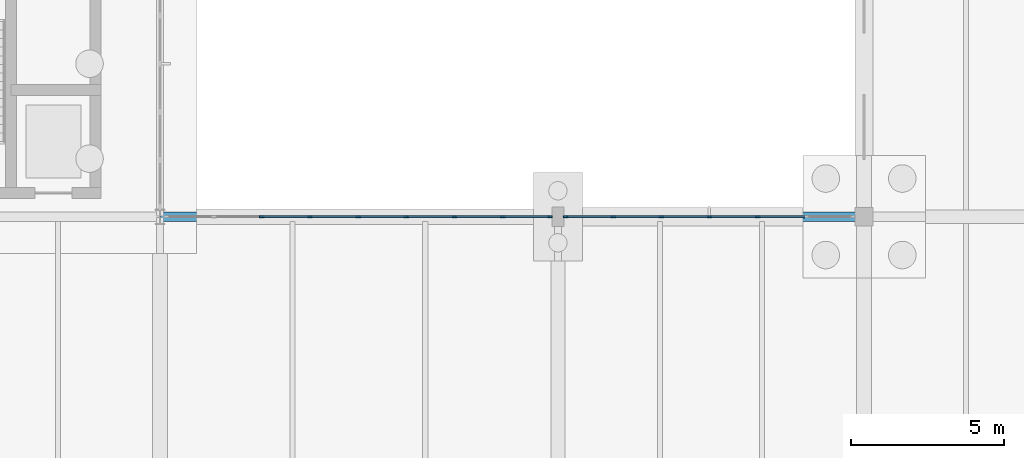
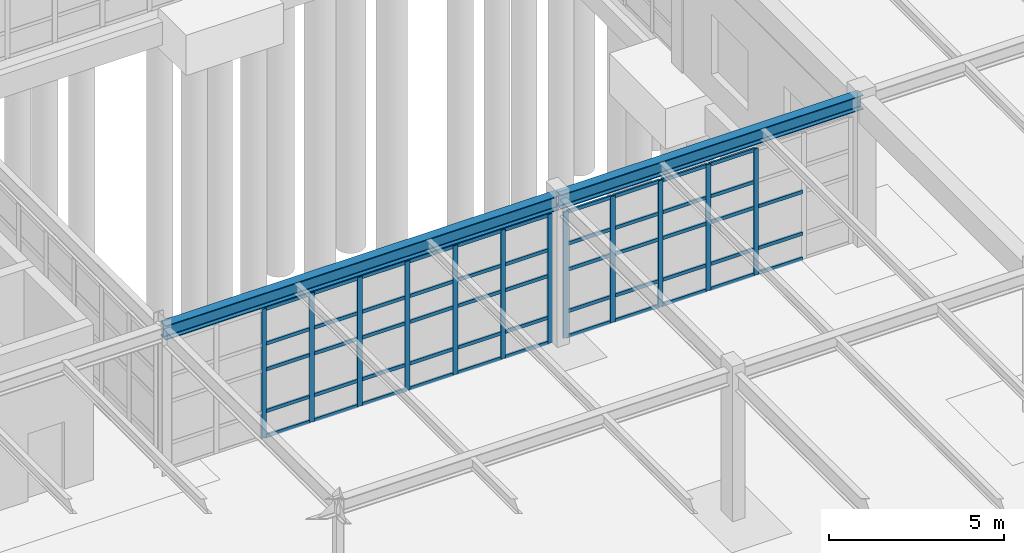
# One storey, part 68 of 145: 65 members, 2 beams, 2 elements without a shape of their own.
"""IFC4 building model written with IfcOpenShell, lengths in metres."""

import ifcopenshell
import ifcopenshell.guid

model = None  # the IFC model being written
_history = None  # IfcOwnerHistory: only IFC2X3 demands one
_inside = {}  # id of a spatial element -> (the spatial element, [elements in it])
_under = {}  # id of a project, library or spatial element -> (it, [spatial elements below it])
_declared = {}  # id of a project -> (the project, [libraries it declares])
_typed = {}  # id of a type object -> (the type object, [elements of that type])
_made_of = {}  # id of a material, layer set ... -> (it, [elements and type objects made of it])


def new_model(schema):
    """Start an empty IFC model of exactly this schema.

    Asked for "IFC4X3", IfcOpenShell would pick the latest addendum, in which some entities
    have other attributes; the version numbers below select the first issue.
    IFC2X3 requires an IfcOwnerHistory on every rooted entity: one is made here for all.
    """
    global model, _history
    if schema == "IFC4X3":
        model = ifcopenshell.file(schema_version=(4, 3, 0, 0))
    else:
        model = ifcopenshell.file(schema=schema)
    _inside.clear()
    _under.clear()
    _declared.clear()
    _typed.clear()
    _made_of.clear()
    _history = None
    if model.schema == "IFC2X3":
        org = make("IfcOrganization", Name="unknown")
        user = make(
            "IfcPersonAndOrganization",
            ThePerson=make("IfcPerson", FamilyName="unknown"),
            TheOrganization=org,
        )
        app = make(
            "IfcApplication",
            ApplicationDeveloper=org,
            Version="unknown",
            ApplicationFullName="unknown",
            ApplicationIdentifier="unknown",
        )
        _history = make(
            "IfcOwnerHistory",
            OwningUser=user,
            OwningApplication=app,
            ChangeAction="ADDED",
            CreationDate=0,
        )
    return model


def make(cls, **values):
    """One entity of the class cls with the attributes given. An attribute that is None is left unset."""
    return model.create_entity(
        cls, **{name: value for name, value in values.items() if value is not None}
    )


def rooted(cls, **values):
    """An entity with a GlobalId (a new one), such as an element, a storey or a relation."""
    return make(cls, GlobalId=ifcopenshell.guid.new(), OwnerHistory=_history, **values)


def si_unit(unit_type, name, prefix=None):
    """IfcSIUnit, for example si_unit("LENGTHUNIT", "METRE", prefix="MILLI")."""
    return make("IfcSIUnit", UnitType=unit_type, Prefix=prefix, Name=name)


def assignment(units):
    """IfcUnitAssignment: the units of a project."""
    return None if units is None else make("IfcUnitAssignment", Units=units)


def point(xyz):
    """IfcCartesianPoint."""
    return None if xyz is None else make("IfcCartesianPoint", Coordinates=xyz)


def direction(xyz):
    """IfcDirection."""
    return None if xyz is None else make("IfcDirection", DirectionRatios=xyz)


def frame(location, z_axis=None, x_axis=None):
    """IfcAxis2Placement3D, a coordinate frame: its origin and axes. An axis left out is left unset."""
    return make(
        "IfcAxis2Placement3D",
        Location=point(location),
        Axis=direction(z_axis),
        RefDirection=direction(x_axis),
    )


def frame_2d(location, x_axis=None):
    """IfcAxis2Placement2D, a coordinate frame in the plane: its origin and x axis."""
    return make(
        "IfcAxis2Placement2D", Location=point(location), RefDirection=direction(x_axis)
    )


def origin():
    """The frame at (0, 0, 0) with its axes left unset."""
    return frame((0.0, 0.0, 0.0))


def origin_2d():
    """The frame at (0, 0) in the plane with its x axis left unset."""
    return frame_2d((0.0, 0.0))


def place(relative_to, where):
    """IfcLocalPlacement: puts the frame where relative to a parent placement (None: the world)."""
    return make(
        "IfcLocalPlacement", PlacementRelTo=relative_to, RelativePlacement=where
    )


def context(
    kind, dimensions, precision=None, world=None, true_north=None, identifier=None
):
    """IfcGeometricRepresentationContext, for example the 3D "Model" context."""
    return make(
        "IfcGeometricRepresentationContext",
        ContextIdentifier=identifier,
        ContextType=kind,
        CoordinateSpaceDimension=dimensions,
        Precision=precision,
        WorldCoordinateSystem=world,
        TrueNorth=true_north,
    )


def subcontext(parent, identifier, kind, view, scale=None):
    """IfcGeometricRepresentationSubContext, for example "Body" below "Model"."""
    return make(
        "IfcGeometricRepresentationSubContext",
        ContextIdentifier=identifier,
        ContextType=kind,
        ParentContext=parent,
        TargetScale=scale,
        TargetView=view,
    )


def project(units=None, contexts=None):
    """IfcProject with its units and contexts."""
    return rooted(
        "IfcProject",
        Name="project",
        RepresentationContexts=contexts,
        UnitsInContext=assignment(units),
    )


def spatial(cls, under=None, at=None, **own):
    """A site, building, storey or space (cls), placed at a placement, below another one or the project."""
    s = rooted(cls, ObjectPlacement=at, **own)
    if under is not None:
        _under.setdefault(under.id(), (under, []))[1].append(s)
    return s


def profile(cls, at=None, kind="AREA", **sizes):
    """A parametric profile (cls). Its sizes go by their IFC names, for example OverallWidth=200.0."""
    return make(cls, ProfileType=kind, Position=at, **sizes)


def rectangle(**sizes):
    """IfcRectangleProfileDef."""
    return profile("IfcRectangleProfileDef", **sizes)


def i_section(**sizes):
    """IfcIShapeProfileDef."""
    return profile("IfcIShapeProfileDef", **sizes)


def extrude(swept, where, along, depth):
    """IfcExtrudedAreaSolid: the profile swept, set in the frame where, extruded along a direction by depth."""
    return make(
        "IfcExtrudedAreaSolid",
        SweptArea=swept,
        Position=where,
        ExtrudedDirection=direction(along),
        Depth=depth,
    )


def shape(context_of_items, identifier, shape_type, items):
    """IfcShapeRepresentation: the items that make up one representation, for example the "Body"."""
    return make(
        "IfcShapeRepresentation",
        ContextOfItems=context_of_items,
        RepresentationIdentifier=identifier,
        RepresentationType=shape_type,
        Items=items,
    )


def material(Name=None, Category=None):
    """IfcMaterial."""
    return make("IfcMaterial", Name=Name, Category=Category)


def layer(
    of_material, thickness, ventilated=None, Name=None, Category=None, Priority=None
):
    """IfcMaterialLayer: one layer of a wall or slab, of a material (None: an air gap)."""
    return make(
        "IfcMaterialLayer",
        Material=of_material,
        LayerThickness=thickness,
        IsVentilated=ventilated,
        Name=Name,
        Category=Category,
        Priority=Priority,
    )


def layer_set(layers, Name=None):
    """IfcMaterialLayerSet."""
    return make("IfcMaterialLayerSet", MaterialLayers=layers, LayerSetName=Name)


def material_profile(
    of_material, cross_section, Name=None, Category=None, Priority=None
):
    """IfcMaterialProfile: a cross section and its material."""
    return make(
        "IfcMaterialProfile",
        Name=Name,
        Material=of_material,
        Profile=cross_section,
        Priority=Priority,
        Category=Category,
    )


def profile_set(profiles, Name=None, composite=None):
    """IfcMaterialProfileSet."""
    return make(
        "IfcMaterialProfileSet",
        Name=Name,
        MaterialProfiles=profiles,
        CompositeProfile=composite,
    )


def made_of(thing, what):
    """Note that an element or type object is made of a material, layer set ...; save() writes the relation."""
    if what is not None:
        _made_of.setdefault(what.id(), (what, []))[1].append(thing)
    return thing


def type_object(cls, material=None, **own):
    """A type object (cls), such as IfcWallType, which elements share."""
    return made_of(rooted(cls, **own), material)


def element(
    cls,
    number,
    at=None,
    inside=None,
    cuts=None,
    type_object=None,
    material=None,
    context=None,
    identifier="Body",
    shape_type=None,
    held_by="IfcProductDefinitionShape",
    body=None,
    shapes=None,
    **own,
):
    """One element of the class cls, such as IfcWall. Its Tag is "e" and its number.

    at: its placement. inside: the storey or other place that contains it. cuts: it is an
    opening in that element (IfcRelVoidsElement). A single representation is given by context,
    identifier, shape_type and body (its items); several are given by shapes. held_by: the class
    of the entity that holds the representations. save() writes the other relations.
    """
    e = rooted(cls, Tag="e%d" % number, ObjectPlacement=at, **own)
    if body is not None:
        shapes = [shape(context, identifier, shape_type, body)]
    if shapes is not None:
        e.Representation = make(held_by, Representations=shapes)
    if inside is not None:
        _inside.setdefault(inside.id(), (inside, []))[1].append(e)
    if cuts is not None:
        rooted(
            "IfcRelVoidsElement", RelatingBuildingElement=cuts, RelatedOpeningElement=e
        )
    if type_object is not None:
        _typed.setdefault(type_object.id(), (type_object, []))[1].append(e)
    return made_of(e, material)


def aggregate(whole, parts):
    """IfcRelAggregates: a whole, such as a stair, and the parts it consists of."""
    return rooted("IfcRelAggregates", RelatingObject=whole, RelatedObjects=parts)


def save(model, path):
    """Write the relations noted so far, then the file.

    IfcRelAggregates (storeys below a building ...), IfcRelContainedInSpatialStructure (elements
    in a storey), IfcRelDefinesByType, IfcRelAssociatesMaterial and IfcRelDeclares: one each for
    every whole, place, type object, material and project.
    """
    for whole, parts in _under.values():
        aggregate(whole, parts)
    for where, things in _inside.values():
        rooted(
            "IfcRelContainedInSpatialStructure",
            RelatedElements=things,
            RelatingStructure=where,
        )
    for kind, things in _typed.values():
        rooted("IfcRelDefinesByType", RelatedObjects=things, RelatingType=kind)
    for what, things in _made_of.values():
        rooted("IfcRelAssociatesMaterial", RelatedObjects=things, RelatingMaterial=what)
    for by, libraries in _declared.values():
        rooted("IfcRelDeclares", RelatingContext=by, RelatedDefinitions=libraries)
    model.write(path)


model = new_model("IFC4")

# Units and contexts
model_context = context("Model", 3, precision=1e-05, world=origin(), true_north=direction((0.0, 1.0)))
body_context = subcontext(model_context, "Body", "Model", "MODEL_VIEW")
ifc_project = project(units=[si_unit("LENGTHUNIT", "METRE"), si_unit("AREAUNIT", "SQUARE_METRE"), si_unit("VOLUMEUNIT", "CUBIC_METRE"), si_unit("PLANEANGLEUNIT", "RADIAN"), si_unit("MASSUNIT", "GRAM", prefix="KILO"), si_unit("THERMODYNAMICTEMPERATUREUNIT", "KELVIN"), si_unit("POWERUNIT", "WATT")], contexts=[model_context])

# Site, building, storey
site_placement = place(None, origin())
site = spatial("IfcSite", under=ifc_project, at=site_placement, CompositionType="ELEMENT")
building_placement = place(site_placement, origin())
building = spatial("IfcBuilding", under=site, at=building_placement, Name="Korenveer Ferry Terminal", CompositionType="ELEMENT")
storey_placement = place(building_placement, origin())
storey = spatial("IfcBuildingStorey", under=building, at=storey_placement, Name="L00", CompositionType="ELEMENT", Elevation=0.0)

# Curtain wall, members
ifc_material_1 = material(Name="Unitised bronze-and-glass curtain wall", Category="glass")
ifc_layer_1 = layer(ifc_material_1, 0.159912109375)
ifc_layer_set_1 = layer_set([ifc_layer_1], Name="Unitised bronze-and-glass curtain wall")
curtain_wall_type_1 = type_object("IfcCurtainWallType", Name="ENV-CW-04", PredefinedType="USERDEFINED", material=ifc_layer_set_1)
curtain_wall_1_placement = place(storey_placement, frame((123.179931640625, 50.0, 0.0)))
curtain_wall_1 = element("IfcCurtainWall", 1, at=curtain_wall_1_placement, inside=storey, type_object=curtain_wall_type_1, Name="Lancet curtain wall CWX-L00-X123-136-Y50-50", ObjectType="UNITISED CURTAIN WALL", PredefinedType="USERDEFINED")
ifc_material_2 = material(Name="Anodised bronze aluminium", Category="aluminium")
ifc_material_profile_1 = material_profile(ifc_material_2, rectangle(XDim=0.06005859375, YDim=0.159912109375, at=origin_2d()), Name="ALU 60x160")
ifc_profile_set_1 = profile_set([ifc_material_profile_1], Name="Anodised bronze aluminium")
member_type_1 = type_object("IfcMemberType", Name="ENV-CWM-60X160", PredefinedType="MULLION", material=ifc_profile_set_1)
member_1_placement = place(storey_placement, frame((126.327392578125, 50.0, 0.0), z_axis=(0.0, 0.0, 1.0), x_axis=(0.0, 1.0, 0.0)))
member_1 = element("IfcMember", 2, at=member_1_placement, type_object=member_type_1, Name="CW-04 mullion 3", PredefinedType="MULLION", context=body_context, shape_type="SweptSolid", body=[
    extrude(rectangle(XDim=0.06005859375, YDim=0.159912109375, at=origin_2d()), origin(), (0.0, 0.0, 1.0), 4.489990234375),
])
member_2_placement = place(storey_placement, frame((127.9013671875, 50.0, 0.0), z_axis=(0.0, 0.0, 1.0), x_axis=(0.0, 1.0, 0.0)))
member_2 = element("IfcMember", 3, at=member_2_placement, type_object=member_type_1, Name="CW-04 mullion 4", PredefinedType="MULLION", context=body_context, shape_type="SweptSolid", body=[
    extrude(rectangle(XDim=0.06005859375, YDim=0.159912109375, at=origin_2d()), origin(), (0.0, 0.0, 1.0), 4.489990234375),
])
member_3_placement = place(storey_placement, frame((129.47509765625, 50.0, 0.0), z_axis=(0.0, 0.0, 1.0), x_axis=(0.0, 1.0, 0.0)))
member_3 = element("IfcMember", 4, at=member_3_placement, type_object=member_type_1, Name="CW-04 mullion 5", PredefinedType="MULLION", context=body_context, shape_type="SweptSolid", body=[
    extrude(rectangle(XDim=0.06005859375, YDim=0.159912109375, at=origin_2d()), origin(), (0.0, 0.0, 1.0), 4.489990234375),
])
member_4_placement = place(storey_placement, frame((131.048828125, 50.0, 0.0), z_axis=(0.0, 0.0, 1.0), x_axis=(0.0, 1.0, 0.0)))
member_4 = element("IfcMember", 5, at=member_4_placement, type_object=member_type_1, Name="CW-04 mullion 6", PredefinedType="MULLION", context=body_context, shape_type="SweptSolid", body=[
    extrude(rectangle(XDim=0.06005859375, YDim=0.159912109375, at=origin_2d()), origin(), (0.0, 0.0, 1.0), 4.489990234375),
])
member_5_placement = place(storey_placement, frame((132.62255859375, 50.0, 0.0), z_axis=(0.0, 0.0, 1.0), x_axis=(0.0, 1.0, 0.0)))
member_5 = element("IfcMember", 6, at=member_5_placement, type_object=member_type_1, Name="CW-04 mullion 7", PredefinedType="MULLION", context=body_context, shape_type="SweptSolid", body=[
    extrude(rectangle(XDim=0.06005859375, YDim=0.159912109375, at=origin_2d()), origin(), (0.0, 0.0, 1.0), 4.489990234375),
])
member_6_placement = place(storey_placement, frame((134.1962890625, 50.0, 0.0), z_axis=(0.0, 0.0, 1.0), x_axis=(0.0, 1.0, 0.0)))
member_6 = element("IfcMember", 7, at=member_6_placement, type_object=member_type_1, Name="CW-04 mullion 8", PredefinedType="MULLION", context=body_context, shape_type="SweptSolid", body=[
    extrude(rectangle(XDim=0.06005859375, YDim=0.159912109375, at=origin_2d()), origin(), (0.0, 0.0, 1.0), 4.489990234375),
])
member_7_placement = place(storey_placement, frame((135.739990234375, 50.0, 0.0), z_axis=(0.0, 0.0, 1.0), x_axis=(0.0, 1.0, 0.0)))
member_7 = element("IfcMember", 8, at=member_7_placement, type_object=member_type_1, Name="CW-04 mullion 9", PredefinedType="MULLION", context=body_context, shape_type="SweptSolid", body=[
    extrude(rectangle(XDim=0.06005859375, YDim=0.159912109375, at=origin_2d()), origin(), (0.0, 0.0, 1.0), 4.489990234375),
])

ifc_layer_2 = layer(ifc_material_1, 0.159912109375)
ifc_layer_set_2 = layer_set([ifc_layer_2], Name="Unitised bronze-and-glass curtain wall")
curtain_wall_type_2 = type_object("IfcCurtainWallType", Name="ENV-CW-05", PredefinedType="USERDEFINED", material=ifc_layer_set_2)
curtain_wall_2_placement = place(storey_placement, frame((136.22998046875, 50.0, 0.0)))
curtain_wall_2 = element("IfcCurtainWall", 9, at=curtain_wall_2_placement, inside=storey, type_object=curtain_wall_type_2, Name="Lancet curtain wall CWX-L00-X136-146-Y50-50", ObjectType="UNITISED CURTAIN WALL", PredefinedType="USERDEFINED")
member_8_placement = place(storey_placement, frame((136.260009765625, 50.0, 0.0), z_axis=(0.0, 0.0, 1.0), x_axis=(0.0, 1.0, 0.0)))
member_8 = element("IfcMember", 10, at=member_8_placement, type_object=member_type_1, Name="CW-05 mullion 1", PredefinedType="MULLION", context=body_context, shape_type="SweptSolid", body=[
    extrude(rectangle(XDim=0.06005859375, YDim=0.159912109375, at=origin_2d()), origin(), (0.0, 0.0, 1.0), 4.389892578125),
])
member_9_placement = place(storey_placement, frame((137.80322265625, 50.0, 0.0), z_axis=(0.0, 0.0, 1.0), x_axis=(0.0, 1.0, 0.0)))
member_9 = element("IfcMember", 11, at=member_9_placement, type_object=member_type_1, Name="CW-05 mullion 2", PredefinedType="MULLION", context=body_context, shape_type="SweptSolid", body=[
    extrude(rectangle(XDim=0.06005859375, YDim=0.159912109375, at=origin_2d()), origin(), (0.0, 0.0, 1.0), 4.389892578125),
])
member_10_placement = place(storey_placement, frame((139.376708984375, 50.0, 0.0), z_axis=(0.0, 0.0, 1.0), x_axis=(0.0, 1.0, 0.0)))
member_10 = element("IfcMember", 12, at=member_10_placement, type_object=member_type_1, Name="CW-05 mullion 3", PredefinedType="MULLION", context=body_context, shape_type="SweptSolid", body=[
    extrude(rectangle(XDim=0.06005859375, YDim=0.159912109375, at=origin_2d()), origin(), (0.0, 0.0, 1.0), 4.389892578125),
])
member_11_placement = place(storey_placement, frame((140.949951171875, 50.0, 0.0), z_axis=(0.0, 0.0, 1.0), x_axis=(0.0, 1.0, 0.0)))
member_11 = element("IfcMember", 13, at=member_11_placement, type_object=member_type_1, Name="CW-05 mullion 4", PredefinedType="MULLION", context=body_context, shape_type="SweptSolid", body=[
    extrude(rectangle(XDim=0.06005859375, YDim=0.159912109375, at=origin_2d()), origin(), (0.0, 0.0, 1.0), 4.389892578125),
])
member_12_placement = place(storey_placement, frame((142.5234375, 50.0, 0.0), z_axis=(0.0, 0.0, 1.0), x_axis=(0.0, 1.0, 0.0)))
member_12 = element("IfcMember", 14, at=member_12_placement, type_object=member_type_1, Name="CW-05 mullion 5", PredefinedType="MULLION", context=body_context, shape_type="SweptSolid", body=[
    extrude(rectangle(XDim=0.06005859375, YDim=0.159912109375, at=origin_2d()), origin(), (0.0, 0.0, 1.0), 4.389892578125),
])

# Member
ifc_material_profile_2 = material_profile(ifc_material_2, rectangle(XDim=0.06005859375, YDim=0.1201171875, at=origin_2d()), Name="ALU 60x120")
ifc_profile_set_2 = profile_set([ifc_material_profile_2], Name="Anodised bronze aluminium")
member_type_2 = type_object("IfcMemberType", Name="ENV-CWT-60X120", PredefinedType="USERDEFINED", material=ifc_profile_set_2)
member_13_placement = place(storey_placement, frame((126.357421875, 50.0, 0.030029296875), z_axis=(1.0, 0.0, 0.0), x_axis=(0.0, 1.0, 0.0)))
member_13 = element("IfcMember", 15, at=member_13_placement, type_object=member_type_2, Name="CW-04 transom 3.1", ObjectType="TRANSOM", PredefinedType="USERDEFINED", context=body_context, shape_type="SweptSolid", body=[
    extrude(rectangle(XDim=0.06005859375, YDim=0.1201171875, at=origin_2d()), origin(), (0.0, 0.0, 1.0), 1.513916015625),
])

member_14_placement = place(storey_placement, frame((126.357421875, 50.0, 0.89990234375), z_axis=(1.0, 0.0, 0.0), x_axis=(0.0, 1.0, 0.0)))
member_14 = element("IfcMember", 16, at=member_14_placement, type_object=member_type_2, Name="CW-04 transom 3.2", ObjectType="TRANSOM", PredefinedType="USERDEFINED", context=body_context, shape_type="SweptSolid", body=[
    extrude(rectangle(XDim=0.06005859375, YDim=0.1201171875, at=origin_2d()), origin(), (0.0, 0.0, 1.0), 1.513916015625),
])

member_15_placement = place(storey_placement, frame((126.357421875, 50.0, 2.35009765625), z_axis=(1.0, 0.0, 0.0), x_axis=(0.0, 1.0, 0.0)))
member_15 = element("IfcMember", 17, at=member_15_placement, type_object=member_type_2, Name="CW-04 transom 3.3", ObjectType="TRANSOM", PredefinedType="USERDEFINED", context=body_context, shape_type="SweptSolid", body=[
    extrude(rectangle(XDim=0.06005859375, YDim=0.1201171875, at=origin_2d()), origin(), (0.0, 0.0, 1.0), 1.513916015625),
])

member_16_placement = place(storey_placement, frame((126.357421875, 50.0, 3.25), z_axis=(1.0, 0.0, 0.0), x_axis=(0.0, 1.0, 0.0)))
member_16 = element("IfcMember", 18, at=member_16_placement, type_object=member_type_2, Name="CW-04 transom 3.4", ObjectType="TRANSOM", PredefinedType="USERDEFINED", context=body_context, shape_type="SweptSolid", body=[
    extrude(rectangle(XDim=0.06005859375, YDim=0.1201171875, at=origin_2d()), origin(), (0.0, 0.0, 1.0), 1.513916015625),
])

member_17_placement = place(storey_placement, frame((126.357421875, 50.0, 4.4599609375), z_axis=(1.0, 0.0, 0.0), x_axis=(0.0, 1.0, 0.0)))
member_17 = element("IfcMember", 19, at=member_17_placement, type_object=member_type_2, Name="CW-04 transom 3.5", ObjectType="TRANSOM", PredefinedType="USERDEFINED", context=body_context, shape_type="SweptSolid", body=[
    extrude(rectangle(XDim=0.06005859375, YDim=0.1201171875, at=origin_2d()), origin(), (0.0, 0.0, 1.0), 1.513916015625),
])

member_18_placement = place(storey_placement, frame((127.93115234375, 50.0, 0.030029296875), z_axis=(1.0, 0.0, 0.0), x_axis=(0.0, 1.0, 0.0)))
member_18 = element("IfcMember", 20, at=member_18_placement, type_object=member_type_2, Name="CW-04 transom 4.1", ObjectType="TRANSOM", PredefinedType="USERDEFINED", context=body_context, shape_type="SweptSolid", body=[
    extrude(rectangle(XDim=0.06005859375, YDim=0.1201171875, at=origin_2d()), origin(), (0.0, 0.0, 1.0), 1.513916015625),
])

member_19_placement = place(storey_placement, frame((127.93115234375, 50.0, 0.89990234375), z_axis=(1.0, 0.0, 0.0), x_axis=(0.0, 1.0, 0.0)))
member_19 = element("IfcMember", 21, at=member_19_placement, type_object=member_type_2, Name="CW-04 transom 4.2", ObjectType="TRANSOM", PredefinedType="USERDEFINED", context=body_context, shape_type="SweptSolid", body=[
    extrude(rectangle(XDim=0.06005859375, YDim=0.1201171875, at=origin_2d()), origin(), (0.0, 0.0, 1.0), 1.513916015625),
])

member_20_placement = place(storey_placement, frame((127.93115234375, 50.0, 2.35009765625), z_axis=(1.0, 0.0, 0.0), x_axis=(0.0, 1.0, 0.0)))
member_20 = element("IfcMember", 22, at=member_20_placement, type_object=member_type_2, Name="CW-04 transom 4.3", ObjectType="TRANSOM", PredefinedType="USERDEFINED", context=body_context, shape_type="SweptSolid", body=[
    extrude(rectangle(XDim=0.06005859375, YDim=0.1201171875, at=origin_2d()), origin(), (0.0, 0.0, 1.0), 1.513916015625),
])

member_21_placement = place(storey_placement, frame((127.93115234375, 50.0, 3.25), z_axis=(1.0, 0.0, 0.0), x_axis=(0.0, 1.0, 0.0)))
member_21 = element("IfcMember", 23, at=member_21_placement, type_object=member_type_2, Name="CW-04 transom 4.4", ObjectType="TRANSOM", PredefinedType="USERDEFINED", context=body_context, shape_type="SweptSolid", body=[
    extrude(rectangle(XDim=0.06005859375, YDim=0.1201171875, at=origin_2d()), origin(), (0.0, 0.0, 1.0), 1.513916015625),
])

member_22_placement = place(storey_placement, frame((127.93115234375, 50.0, 4.4599609375), z_axis=(1.0, 0.0, 0.0), x_axis=(0.0, 1.0, 0.0)))
member_22 = element("IfcMember", 24, at=member_22_placement, type_object=member_type_2, Name="CW-04 transom 4.5", ObjectType="TRANSOM", PredefinedType="USERDEFINED", context=body_context, shape_type="SweptSolid", body=[
    extrude(rectangle(XDim=0.06005859375, YDim=0.1201171875, at=origin_2d()), origin(), (0.0, 0.0, 1.0), 1.513916015625),
])

member_23_placement = place(storey_placement, frame((129.5048828125, 50.0, 0.030029296875), z_axis=(1.0, 0.0, 0.0), x_axis=(0.0, 1.0, 0.0)))
member_23 = element("IfcMember", 25, at=member_23_placement, type_object=member_type_2, Name="CW-04 transom 5.1", ObjectType="TRANSOM", PredefinedType="USERDEFINED", context=body_context, shape_type="SweptSolid", body=[
    extrude(rectangle(XDim=0.06005859375, YDim=0.1201171875, at=origin_2d()), origin(), (0.0, 0.0, 1.0), 1.513916015625),
])

member_24_placement = place(storey_placement, frame((129.5048828125, 50.0, 0.89990234375), z_axis=(1.0, 0.0, 0.0), x_axis=(0.0, 1.0, 0.0)))
member_24 = element("IfcMember", 26, at=member_24_placement, type_object=member_type_2, Name="CW-04 transom 5.2", ObjectType="TRANSOM", PredefinedType="USERDEFINED", context=body_context, shape_type="SweptSolid", body=[
    extrude(rectangle(XDim=0.06005859375, YDim=0.1201171875, at=origin_2d()), origin(), (0.0, 0.0, 1.0), 1.513916015625),
])

member_25_placement = place(storey_placement, frame((129.5048828125, 50.0, 2.35009765625), z_axis=(1.0, 0.0, 0.0), x_axis=(0.0, 1.0, 0.0)))
member_25 = element("IfcMember", 27, at=member_25_placement, type_object=member_type_2, Name="CW-04 transom 5.3", ObjectType="TRANSOM", PredefinedType="USERDEFINED", context=body_context, shape_type="SweptSolid", body=[
    extrude(rectangle(XDim=0.06005859375, YDim=0.1201171875, at=origin_2d()), origin(), (0.0, 0.0, 1.0), 1.513916015625),
])

member_26_placement = place(storey_placement, frame((129.5048828125, 50.0, 3.25), z_axis=(1.0, 0.0, 0.0), x_axis=(0.0, 1.0, 0.0)))
member_26 = element("IfcMember", 28, at=member_26_placement, type_object=member_type_2, Name="CW-04 transom 5.4", ObjectType="TRANSOM", PredefinedType="USERDEFINED", context=body_context, shape_type="SweptSolid", body=[
    extrude(rectangle(XDim=0.06005859375, YDim=0.1201171875, at=origin_2d()), origin(), (0.0, 0.0, 1.0), 1.513916015625),
])

member_27_placement = place(storey_placement, frame((129.5048828125, 50.0, 4.4599609375), z_axis=(1.0, 0.0, 0.0), x_axis=(0.0, 1.0, 0.0)))
member_27 = element("IfcMember", 29, at=member_27_placement, type_object=member_type_2, Name="CW-04 transom 5.5", ObjectType="TRANSOM", PredefinedType="USERDEFINED", context=body_context, shape_type="SweptSolid", body=[
    extrude(rectangle(XDim=0.06005859375, YDim=0.1201171875, at=origin_2d()), origin(), (0.0, 0.0, 1.0), 1.513916015625),
])

member_28_placement = place(storey_placement, frame((131.078857421875, 50.0, 0.030029296875), z_axis=(1.0, 0.0, 0.0), x_axis=(0.0, 1.0, 0.0)))
member_28 = element("IfcMember", 30, at=member_28_placement, type_object=member_type_2, Name="CW-04 transom 6.1", ObjectType="TRANSOM", PredefinedType="USERDEFINED", context=body_context, shape_type="SweptSolid", body=[
    extrude(rectangle(XDim=0.06005859375, YDim=0.1201171875, at=origin_2d()), origin(), (0.0, 0.0, 1.0), 1.513671875),
])

member_29_placement = place(storey_placement, frame((131.078857421875, 50.0, 0.89990234375), z_axis=(1.0, 0.0, 0.0), x_axis=(0.0, 1.0, 0.0)))
member_29 = element("IfcMember", 31, at=member_29_placement, type_object=member_type_2, Name="CW-04 transom 6.2", ObjectType="TRANSOM", PredefinedType="USERDEFINED", context=body_context, shape_type="SweptSolid", body=[
    extrude(rectangle(XDim=0.06005859375, YDim=0.1201171875, at=origin_2d()), origin(), (0.0, 0.0, 1.0), 1.513671875),
])

member_30_placement = place(storey_placement, frame((131.078857421875, 50.0, 2.35009765625), z_axis=(1.0, 0.0, 0.0), x_axis=(0.0, 1.0, 0.0)))
member_30 = element("IfcMember", 32, at=member_30_placement, type_object=member_type_2, Name="CW-04 transom 6.3", ObjectType="TRANSOM", PredefinedType="USERDEFINED", context=body_context, shape_type="SweptSolid", body=[
    extrude(rectangle(XDim=0.06005859375, YDim=0.1201171875, at=origin_2d()), origin(), (0.0, 0.0, 1.0), 1.513671875),
])

member_31_placement = place(storey_placement, frame((131.078857421875, 50.0, 3.25), z_axis=(1.0, 0.0, 0.0), x_axis=(0.0, 1.0, 0.0)))
member_31 = element("IfcMember", 33, at=member_31_placement, type_object=member_type_2, Name="CW-04 transom 6.4", ObjectType="TRANSOM", PredefinedType="USERDEFINED", context=body_context, shape_type="SweptSolid", body=[
    extrude(rectangle(XDim=0.06005859375, YDim=0.1201171875, at=origin_2d()), origin(), (0.0, 0.0, 1.0), 1.513671875),
])

member_32_placement = place(storey_placement, frame((131.078857421875, 50.0, 4.4599609375), z_axis=(1.0, 0.0, 0.0), x_axis=(0.0, 1.0, 0.0)))
member_32 = element("IfcMember", 34, at=member_32_placement, type_object=member_type_2, Name="CW-04 transom 6.5", ObjectType="TRANSOM", PredefinedType="USERDEFINED", context=body_context, shape_type="SweptSolid", body=[
    extrude(rectangle(XDim=0.06005859375, YDim=0.1201171875, at=origin_2d()), origin(), (0.0, 0.0, 1.0), 1.513671875),
])

member_33_placement = place(storey_placement, frame((132.652587890625, 50.0, 0.030029296875), z_axis=(1.0, 0.0, 0.0), x_axis=(0.0, 1.0, 0.0)))
member_33 = element("IfcMember", 35, at=member_33_placement, type_object=member_type_2, Name="CW-04 transom 7.1", ObjectType="TRANSOM", PredefinedType="USERDEFINED", context=body_context, shape_type="SweptSolid", body=[
    extrude(rectangle(XDim=0.06005859375, YDim=0.1201171875, at=origin_2d()), origin(), (0.0, 0.0, 1.0), 1.513671875),
])

member_34_placement = place(storey_placement, frame((132.652587890625, 50.0, 0.89990234375), z_axis=(1.0, 0.0, 0.0), x_axis=(0.0, 1.0, 0.0)))
member_34 = element("IfcMember", 36, at=member_34_placement, type_object=member_type_2, Name="CW-04 transom 7.2", ObjectType="TRANSOM", PredefinedType="USERDEFINED", context=body_context, shape_type="SweptSolid", body=[
    extrude(rectangle(XDim=0.06005859375, YDim=0.1201171875, at=origin_2d()), origin(), (0.0, 0.0, 1.0), 1.513671875),
])

member_35_placement = place(storey_placement, frame((132.652587890625, 50.0, 2.35009765625), z_axis=(1.0, 0.0, 0.0), x_axis=(0.0, 1.0, 0.0)))
member_35 = element("IfcMember", 37, at=member_35_placement, type_object=member_type_2, Name="CW-04 transom 7.3", ObjectType="TRANSOM", PredefinedType="USERDEFINED", context=body_context, shape_type="SweptSolid", body=[
    extrude(rectangle(XDim=0.06005859375, YDim=0.1201171875, at=origin_2d()), origin(), (0.0, 0.0, 1.0), 1.513671875),
])

member_36_placement = place(storey_placement, frame((132.652587890625, 50.0, 3.25), z_axis=(1.0, 0.0, 0.0), x_axis=(0.0, 1.0, 0.0)))
member_36 = element("IfcMember", 38, at=member_36_placement, type_object=member_type_2, Name="CW-04 transom 7.4", ObjectType="TRANSOM", PredefinedType="USERDEFINED", context=body_context, shape_type="SweptSolid", body=[
    extrude(rectangle(XDim=0.06005859375, YDim=0.1201171875, at=origin_2d()), origin(), (0.0, 0.0, 1.0), 1.513671875),
])

member_37_placement = place(storey_placement, frame((132.652587890625, 50.0, 4.4599609375), z_axis=(1.0, 0.0, 0.0), x_axis=(0.0, 1.0, 0.0)))
member_37 = element("IfcMember", 39, at=member_37_placement, type_object=member_type_2, Name="CW-04 transom 7.5", ObjectType="TRANSOM", PredefinedType="USERDEFINED", context=body_context, shape_type="SweptSolid", body=[
    extrude(rectangle(XDim=0.06005859375, YDim=0.1201171875, at=origin_2d()), origin(), (0.0, 0.0, 1.0), 1.513671875),
])

member_38_placement = place(storey_placement, frame((134.226318359375, 50.0, 0.030029296875), z_axis=(1.0, 0.0, 0.0), x_axis=(0.0, 1.0, 0.0)))
member_38 = element("IfcMember", 40, at=member_38_placement, type_object=member_type_2, Name="CW-04 transom 8.1", ObjectType="TRANSOM", PredefinedType="USERDEFINED", context=body_context, shape_type="SweptSolid", body=[
    extrude(rectangle(XDim=0.06005859375, YDim=0.1201171875, at=origin_2d()), origin(), (0.0, 0.0, 1.0), 1.483642578125),
])

member_39_placement = place(storey_placement, frame((134.226318359375, 50.0, 0.89990234375), z_axis=(1.0, 0.0, 0.0), x_axis=(0.0, 1.0, 0.0)))
member_39 = element("IfcMember", 41, at=member_39_placement, type_object=member_type_2, Name="CW-04 transom 8.2", ObjectType="TRANSOM", PredefinedType="USERDEFINED", context=body_context, shape_type="SweptSolid", body=[
    extrude(rectangle(XDim=0.06005859375, YDim=0.1201171875, at=origin_2d()), origin(), (0.0, 0.0, 1.0), 1.483642578125),
])

member_40_placement = place(storey_placement, frame((134.226318359375, 50.0, 2.35009765625), z_axis=(1.0, 0.0, 0.0), x_axis=(0.0, 1.0, 0.0)))
member_40 = element("IfcMember", 42, at=member_40_placement, type_object=member_type_2, Name="CW-04 transom 8.3", ObjectType="TRANSOM", PredefinedType="USERDEFINED", context=body_context, shape_type="SweptSolid", body=[
    extrude(rectangle(XDim=0.06005859375, YDim=0.1201171875, at=origin_2d()), origin(), (0.0, 0.0, 1.0), 1.483642578125),
])

member_41_placement = place(storey_placement, frame((134.226318359375, 50.0, 3.25), z_axis=(1.0, 0.0, 0.0), x_axis=(0.0, 1.0, 0.0)))
member_41 = element("IfcMember", 43, at=member_41_placement, type_object=member_type_2, Name="CW-04 transom 8.4", ObjectType="TRANSOM", PredefinedType="USERDEFINED", context=body_context, shape_type="SweptSolid", body=[
    extrude(rectangle(XDim=0.06005859375, YDim=0.1201171875, at=origin_2d()), origin(), (0.0, 0.0, 1.0), 1.483642578125),
])

member_42_placement = place(storey_placement, frame((134.226318359375, 50.0, 4.4599609375), z_axis=(1.0, 0.0, 0.0), x_axis=(0.0, 1.0, 0.0)))
member_42 = element("IfcMember", 44, at=member_42_placement, type_object=member_type_2, Name="CW-04 transom 8.5", ObjectType="TRANSOM", PredefinedType="USERDEFINED", context=body_context, shape_type="SweptSolid", body=[
    extrude(rectangle(XDim=0.06005859375, YDim=0.1201171875, at=origin_2d()), origin(), (0.0, 0.0, 1.0), 1.483642578125),
])

aggregate(curtain_wall_1, [member_1, member_2, member_3, member_4, member_5, member_6, member_7, member_13, member_14, member_15, member_16, member_17, member_18, member_19, member_20, member_21, member_22, member_23, member_24, member_25, member_26, member_27, member_28, member_29, member_30, member_31, member_32, member_33, member_34, member_35, member_36, member_37, member_38, member_39, member_40, member_41, member_42])

member_43_placement = place(storey_placement, frame((136.2900390625, 50.0, 0.030029296875), z_axis=(1.0, 0.0, 0.0), x_axis=(0.0, 1.0, 0.0)))
member_43 = element("IfcMember", 45, at=member_43_placement, type_object=member_type_2, Name="CW-05 transom 1.1", ObjectType="TRANSOM", PredefinedType="USERDEFINED", context=body_context, shape_type="SweptSolid", body=[
    extrude(rectangle(XDim=0.06005859375, YDim=0.1201171875, at=origin_2d()), origin(), (0.0, 0.0, 1.0), 1.4833984375),
])

member_44_placement = place(storey_placement, frame((136.2900390625, 50.0, 0.89990234375), z_axis=(1.0, 0.0, 0.0), x_axis=(0.0, 1.0, 0.0)))
member_44 = element("IfcMember", 46, at=member_44_placement, type_object=member_type_2, Name="CW-05 transom 1.2", ObjectType="TRANSOM", PredefinedType="USERDEFINED", context=body_context, shape_type="SweptSolid", body=[
    extrude(rectangle(XDim=0.06005859375, YDim=0.1201171875, at=origin_2d()), origin(), (0.0, 0.0, 1.0), 1.4833984375),
])

member_45_placement = place(storey_placement, frame((136.2900390625, 50.0, 2.35009765625), z_axis=(1.0, 0.0, 0.0), x_axis=(0.0, 1.0, 0.0)))
member_45 = element("IfcMember", 47, at=member_45_placement, type_object=member_type_2, Name="CW-05 transom 1.3", ObjectType="TRANSOM", PredefinedType="USERDEFINED", context=body_context, shape_type="SweptSolid", body=[
    extrude(rectangle(XDim=0.06005859375, YDim=0.1201171875, at=origin_2d()), origin(), (0.0, 0.0, 1.0), 1.4833984375),
])

member_46_placement = place(storey_placement, frame((136.2900390625, 50.0, 3.25), z_axis=(1.0, 0.0, 0.0), x_axis=(0.0, 1.0, 0.0)))
member_46 = element("IfcMember", 48, at=member_46_placement, type_object=member_type_2, Name="CW-05 transom 1.4", ObjectType="TRANSOM", PredefinedType="USERDEFINED", context=body_context, shape_type="SweptSolid", body=[
    extrude(rectangle(XDim=0.06005859375, YDim=0.1201171875, at=origin_2d()), origin(), (0.0, 0.0, 1.0), 1.4833984375),
])

member_47_placement = place(storey_placement, frame((136.2900390625, 50.0, 4.360107421875), z_axis=(1.0, 0.0, 0.0), x_axis=(0.0, 1.0, 0.0)))
member_47 = element("IfcMember", 49, at=member_47_placement, type_object=member_type_2, Name="CW-05 transom 1.5", ObjectType="TRANSOM", PredefinedType="USERDEFINED", context=body_context, shape_type="SweptSolid", body=[
    extrude(rectangle(XDim=0.06005859375, YDim=0.1201171875, at=origin_2d()), origin(), (0.0, 0.0, 1.0), 1.4833984375),
])

member_48_placement = place(storey_placement, frame((137.833251953125, 50.0, 0.030029296875), z_axis=(1.0, 0.0, 0.0), x_axis=(0.0, 1.0, 0.0)))
member_48 = element("IfcMember", 50, at=member_48_placement, type_object=member_type_2, Name="CW-05 transom 2.1", ObjectType="TRANSOM", PredefinedType="USERDEFINED", context=body_context, shape_type="SweptSolid", body=[
    extrude(rectangle(XDim=0.06005859375, YDim=0.1201171875, at=origin_2d()), origin(), (0.0, 0.0, 1.0), 1.513427734375),
])

member_49_placement = place(storey_placement, frame((137.833251953125, 50.0, 0.89990234375), z_axis=(1.0, 0.0, 0.0), x_axis=(0.0, 1.0, 0.0)))
member_49 = element("IfcMember", 51, at=member_49_placement, type_object=member_type_2, Name="CW-05 transom 2.2", ObjectType="TRANSOM", PredefinedType="USERDEFINED", context=body_context, shape_type="SweptSolid", body=[
    extrude(rectangle(XDim=0.06005859375, YDim=0.1201171875, at=origin_2d()), origin(), (0.0, 0.0, 1.0), 1.513427734375),
])

member_50_placement = place(storey_placement, frame((137.833251953125, 50.0, 2.35009765625), z_axis=(1.0, 0.0, 0.0), x_axis=(0.0, 1.0, 0.0)))
member_50 = element("IfcMember", 52, at=member_50_placement, type_object=member_type_2, Name="CW-05 transom 2.3", ObjectType="TRANSOM", PredefinedType="USERDEFINED", context=body_context, shape_type="SweptSolid", body=[
    extrude(rectangle(XDim=0.06005859375, YDim=0.1201171875, at=origin_2d()), origin(), (0.0, 0.0, 1.0), 1.513427734375),
])

member_51_placement = place(storey_placement, frame((137.833251953125, 50.0, 3.25), z_axis=(1.0, 0.0, 0.0), x_axis=(0.0, 1.0, 0.0)))
member_51 = element("IfcMember", 53, at=member_51_placement, type_object=member_type_2, Name="CW-05 transom 2.4", ObjectType="TRANSOM", PredefinedType="USERDEFINED", context=body_context, shape_type="SweptSolid", body=[
    extrude(rectangle(XDim=0.06005859375, YDim=0.1201171875, at=origin_2d()), origin(), (0.0, 0.0, 1.0), 1.513427734375),
])

member_52_placement = place(storey_placement, frame((137.833251953125, 50.0, 4.360107421875), z_axis=(1.0, 0.0, 0.0), x_axis=(0.0, 1.0, 0.0)))
member_52 = element("IfcMember", 54, at=member_52_placement, type_object=member_type_2, Name="CW-05 transom 2.5", ObjectType="TRANSOM", PredefinedType="USERDEFINED", context=body_context, shape_type="SweptSolid", body=[
    extrude(rectangle(XDim=0.06005859375, YDim=0.1201171875, at=origin_2d()), origin(), (0.0, 0.0, 1.0), 1.513427734375),
])

member_53_placement = place(storey_placement, frame((139.40673828125, 50.0, 0.030029296875), z_axis=(1.0, 0.0, 0.0), x_axis=(0.0, 1.0, 0.0)))
member_53 = element("IfcMember", 55, at=member_53_placement, type_object=member_type_2, Name="CW-05 transom 3.1", ObjectType="TRANSOM", PredefinedType="USERDEFINED", context=body_context, shape_type="SweptSolid", body=[
    extrude(rectangle(XDim=0.06005859375, YDim=0.1201171875, at=origin_2d()), origin(), (0.0, 0.0, 1.0), 1.51318359375),
])

member_54_placement = place(storey_placement, frame((139.40673828125, 50.0, 0.89990234375), z_axis=(1.0, 0.0, 0.0), x_axis=(0.0, 1.0, 0.0)))
member_54 = element("IfcMember", 56, at=member_54_placement, type_object=member_type_2, Name="CW-05 transom 3.2", ObjectType="TRANSOM", PredefinedType="USERDEFINED", context=body_context, shape_type="SweptSolid", body=[
    extrude(rectangle(XDim=0.06005859375, YDim=0.1201171875, at=origin_2d()), origin(), (0.0, 0.0, 1.0), 1.51318359375),
])

member_55_placement = place(storey_placement, frame((139.40673828125, 50.0, 2.35009765625), z_axis=(1.0, 0.0, 0.0), x_axis=(0.0, 1.0, 0.0)))
member_55 = element("IfcMember", 57, at=member_55_placement, type_object=member_type_2, Name="CW-05 transom 3.3", ObjectType="TRANSOM", PredefinedType="USERDEFINED", context=body_context, shape_type="SweptSolid", body=[
    extrude(rectangle(XDim=0.06005859375, YDim=0.1201171875, at=origin_2d()), origin(), (0.0, 0.0, 1.0), 1.51318359375),
])

member_56_placement = place(storey_placement, frame((139.40673828125, 50.0, 3.25), z_axis=(1.0, 0.0, 0.0), x_axis=(0.0, 1.0, 0.0)))
member_56 = element("IfcMember", 58, at=member_56_placement, type_object=member_type_2, Name="CW-05 transom 3.4", ObjectType="TRANSOM", PredefinedType="USERDEFINED", context=body_context, shape_type="SweptSolid", body=[
    extrude(rectangle(XDim=0.06005859375, YDim=0.1201171875, at=origin_2d()), origin(), (0.0, 0.0, 1.0), 1.51318359375),
])

member_57_placement = place(storey_placement, frame((139.40673828125, 50.0, 4.360107421875), z_axis=(1.0, 0.0, 0.0), x_axis=(0.0, 1.0, 0.0)))
member_57 = element("IfcMember", 59, at=member_57_placement, type_object=member_type_2, Name="CW-05 transom 3.5", ObjectType="TRANSOM", PredefinedType="USERDEFINED", context=body_context, shape_type="SweptSolid", body=[
    extrude(rectangle(XDim=0.06005859375, YDim=0.1201171875, at=origin_2d()), origin(), (0.0, 0.0, 1.0), 1.51318359375),
])

member_58_placement = place(storey_placement, frame((140.97998046875, 50.0, 0.030029296875), z_axis=(1.0, 0.0, 0.0), x_axis=(0.0, 1.0, 0.0)))
member_58 = element("IfcMember", 60, at=member_58_placement, type_object=member_type_2, Name="CW-05 transom 4.1", ObjectType="TRANSOM", PredefinedType="USERDEFINED", context=body_context, shape_type="SweptSolid", body=[
    extrude(rectangle(XDim=0.06005859375, YDim=0.1201171875, at=origin_2d()), origin(), (0.0, 0.0, 1.0), 1.513427734375),
])

member_59_placement = place(storey_placement, frame((140.97998046875, 50.0, 0.89990234375), z_axis=(1.0, 0.0, 0.0), x_axis=(0.0, 1.0, 0.0)))
member_59 = element("IfcMember", 61, at=member_59_placement, type_object=member_type_2, Name="CW-05 transom 4.2", ObjectType="TRANSOM", PredefinedType="USERDEFINED", context=body_context, shape_type="SweptSolid", body=[
    extrude(rectangle(XDim=0.06005859375, YDim=0.1201171875, at=origin_2d()), origin(), (0.0, 0.0, 1.0), 1.513427734375),
])

member_60_placement = place(storey_placement, frame((140.97998046875, 50.0, 2.35009765625), z_axis=(1.0, 0.0, 0.0), x_axis=(0.0, 1.0, 0.0)))
member_60 = element("IfcMember", 62, at=member_60_placement, type_object=member_type_2, Name="CW-05 transom 4.3", ObjectType="TRANSOM", PredefinedType="USERDEFINED", context=body_context, shape_type="SweptSolid", body=[
    extrude(rectangle(XDim=0.06005859375, YDim=0.1201171875, at=origin_2d()), origin(), (0.0, 0.0, 1.0), 1.513427734375),
])

member_61_placement = place(storey_placement, frame((140.97998046875, 50.0, 3.25), z_axis=(1.0, 0.0, 0.0), x_axis=(0.0, 1.0, 0.0)))
member_61 = element("IfcMember", 63, at=member_61_placement, type_object=member_type_2, Name="CW-05 transom 4.4", ObjectType="TRANSOM", PredefinedType="USERDEFINED", context=body_context, shape_type="SweptSolid", body=[
    extrude(rectangle(XDim=0.06005859375, YDim=0.1201171875, at=origin_2d()), origin(), (0.0, 0.0, 1.0), 1.513427734375),
])

member_62_placement = place(storey_placement, frame((140.97998046875, 50.0, 4.360107421875), z_axis=(1.0, 0.0, 0.0), x_axis=(0.0, 1.0, 0.0)))
member_62 = element("IfcMember", 64, at=member_62_placement, type_object=member_type_2, Name="CW-05 transom 4.5", ObjectType="TRANSOM", PredefinedType="USERDEFINED", context=body_context, shape_type="SweptSolid", body=[
    extrude(rectangle(XDim=0.06005859375, YDim=0.1201171875, at=origin_2d()), origin(), (0.0, 0.0, 1.0), 1.513427734375),
])

member_63_placement = place(storey_placement, frame((142.55322265625, 50.0, 0.030029296875), z_axis=(1.0, 0.0, 0.0), x_axis=(0.0, 1.0, 0.0)))
member_63 = element("IfcMember", 65, at=member_63_placement, type_object=member_type_2, Name="CW-05 transom 5.1", ObjectType="TRANSOM", PredefinedType="USERDEFINED", context=body_context, shape_type="SweptSolid", body=[
    extrude(rectangle(XDim=0.06005859375, YDim=0.1201171875, at=origin_2d()), origin(), (0.0, 0.0, 1.0), 1.513427734375),
])

member_64_placement = place(storey_placement, frame((142.55322265625, 50.0, 0.89990234375), z_axis=(1.0, 0.0, 0.0), x_axis=(0.0, 1.0, 0.0)))
member_64 = element("IfcMember", 66, at=member_64_placement, type_object=member_type_2, Name="CW-05 transom 5.2", ObjectType="TRANSOM", PredefinedType="USERDEFINED", context=body_context, shape_type="SweptSolid", body=[
    extrude(rectangle(XDim=0.06005859375, YDim=0.1201171875, at=origin_2d()), origin(), (0.0, 0.0, 1.0), 1.513427734375),
])

member_65_placement = place(storey_placement, frame((142.55322265625, 50.0, 2.35009765625), z_axis=(1.0, 0.0, 0.0), x_axis=(0.0, 1.0, 0.0)))
member_65 = element("IfcMember", 67, at=member_65_placement, type_object=member_type_2, Name="CW-05 transom 5.3", ObjectType="TRANSOM", PredefinedType="USERDEFINED", context=body_context, shape_type="SweptSolid", body=[
    extrude(rectangle(XDim=0.06005859375, YDim=0.1201171875, at=origin_2d()), origin(), (0.0, 0.0, 1.0), 1.513427734375),
])

aggregate(curtain_wall_2, [member_8, member_9, member_10, member_11, member_12, member_43, member_44, member_45, member_46, member_47, member_48, member_49, member_50, member_51, member_52, member_53, member_54, member_55, member_56, member_57, member_58, member_59, member_60, member_61, member_62, member_63, member_64, member_65])

# Beams
ifc_material_3 = material(Name="Steel S355", Category="steel")
ifc_material_profile_3 = material_profile(ifc_material_3, i_section(OverallWidth=0.300048828125, OverallDepth=0.5, WebThickness=0.014404296875, FlangeThickness=0.028076171875, FilletRadius=0.027099609375, at=origin_2d()), Name="HEB 500")
ifc_profile_set_3 = profile_set([ifc_material_profile_3], Name="Steel S355")
beam_type = type_object("IfcBeamType", Name="STR-BM-HEB500", PredefinedType="BEAM", material=ifc_profile_set_3)
beam_1_placement = place(storey_placement, frame((123.02001953125, 50.0, 4.8701171875), z_axis=(1.0, 0.0, 0.0), x_axis=(0.0, 1.0, 0.0)))
element("IfcBeam", 68, at=beam_1_placement, inside=storey, type_object=beam_type, Name="Primary X girder BMX-L01-X123-136-Y50", PredefinedType="BEAM", context=body_context, shape_type="SweptSolid", body=[
    extrude(i_section(OverallWidth=0.300048828125, OverallDepth=0.5, WebThickness=0.014404296875, FlangeThickness=0.028076171875, FilletRadius=0.027099609375, at=origin_2d()), origin(), (0.0, 0.0, 1.0), 12.9599609375),
])
beam_2_placement = place(storey_placement, frame((136.02001953125, 50.0, 4.8701171875), z_axis=(1.0, 0.0, 0.0), x_axis=(0.0, 1.0, 0.0)))
element("IfcBeam", 69, at=beam_2_placement, inside=storey, type_object=beam_type, Name="Primary X girder BMX-L01-X136-146-Y50", PredefinedType="BEAM", context=body_context, shape_type="SweptSolid", body=[
    extrude(i_section(OverallWidth=0.300048828125, OverallDepth=0.5, WebThickness=0.014404296875, FlangeThickness=0.028076171875, FilletRadius=0.027099609375, at=origin_2d()), origin(), (0.0, 0.0, 1.0), 9.9599609375),
])

save(model, "model.ifc")
